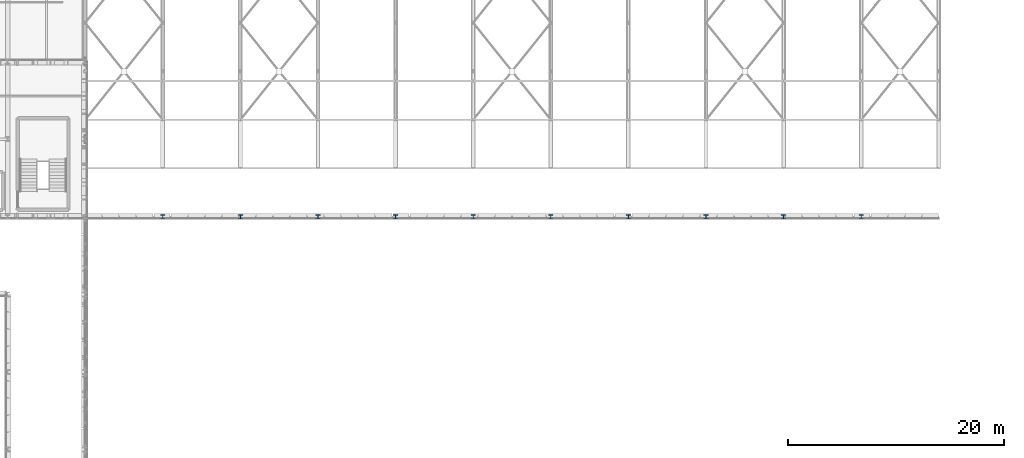
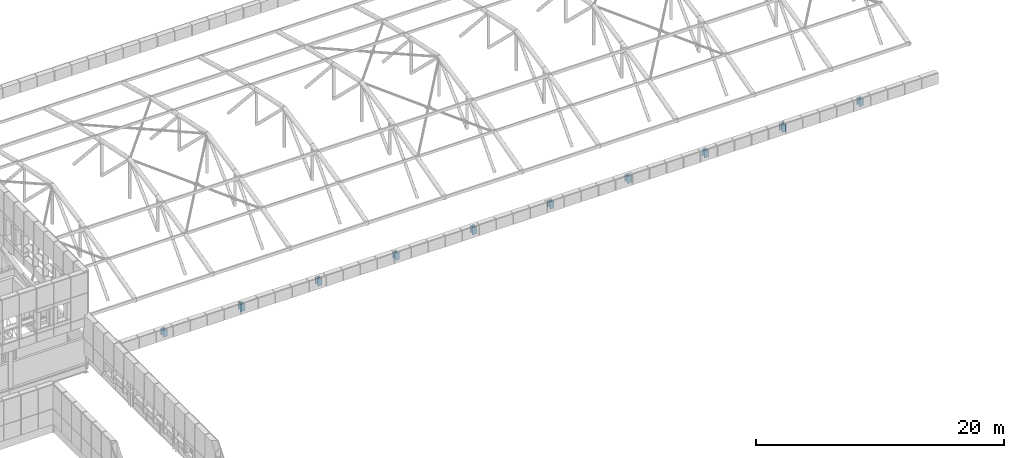
# One storey, part 8 of 96: 10 columns.
"""IFC4 building model written with IfcOpenShell, lengths in metres."""

from ifc_helpers import new_model, si_unit, direction, frame, origin, origin_2d, place, context, subcontext, project, spatial, i_section, extrude, material, material_profile, profile_set, type_object, element, save


model = new_model("IFC4")

# Units and contexts
model_context = context("Model", 3, precision=1e-05, world=origin(), true_north=direction((0.0, 1.0)))
body_context = subcontext(model_context, "Body", "Model", "MODEL_VIEW")
ifc_project = project(units=[si_unit("LENGTHUNIT", "METRE"), si_unit("AREAUNIT", "SQUARE_METRE"), si_unit("VOLUMEUNIT", "CUBIC_METRE"), si_unit("PLANEANGLEUNIT", "RADIAN"), si_unit("MASSUNIT", "GRAM", prefix="KILO")], contexts=[model_context])

# Site, building, storey
site_placement = place(None, origin())
site = spatial("IfcSite", under=ifc_project, at=site_placement, CompositionType="ELEMENT")
building_placement = place(site_placement, origin())
building = spatial("IfcBuilding", under=site, at=building_placement, Name="Yarey Park Central Fire Station", CompositionType="ELEMENT")
storey_placement = place(building_placement, frame((0.0, 0.0, 14.39990234375)))
storey = spatial("IfcBuildingStorey", under=building, at=storey_placement, Name="L04", CompositionType="ELEMENT", Elevation=14.39990234375)

# Columns
ifc_material = material(Name="Steel ASTM A992 Gr. 50", Category="steel")
ifc_material_profile = material_profile(ifc_material, i_section(OverallWidth=0.404052734375, OverallDepth=0.406982421875, WebThickness=0.027099609375, FlangeThickness=0.043701171875, at=origin_2d()), Name="W360x347")
ifc_profile_set = profile_set([ifc_material_profile], Name="Steel ASTM A992 Gr. 50")
column_type = type_object("IfcColumnType", Name="STR_COL_W360_EXT", PredefinedType="COLUMN", material=ifc_profile_set)
for number, where, z_axis, x_axis, name in (
    (1, (64.800048828125, 57.60009765625, 0.0), (0.0, 0.0, 1.0), (1.0, 0.0, 0.0), "V2_SCR_POST_S_L04_64"),
    (2, (72.0, 57.60009765625, 0.0), (0.0, 0.0, 1.0), (1.0, 0.0, 0.0), "V2_SCR_POST_S_L04_72"),
    (3, (79.199951171875, 57.60009765625, 0.0), (0.0, 0.0, 1.0), (1.0, 0.0, 0.0), "V2_SCR_POST_S_L04_79"),
    (4, (86.39990234375, 57.60009765625, 0.0), (0.0, 0.0, 1.0), (1.0, 0.0, 0.0), "V2_SCR_POST_S_L04_86"),
    (5, (93.60009765625, 57.60009765625, 0.0), (0.0, 0.0, 1.0), (1.0, 0.0, 0.0), "V2_SCR_POST_S_L04_93"),
    (6, (100.800048828125, 57.60009765625, 0.0), (0.0, 0.0, 1.0), (1.0, 0.0, 0.0), "V2_SCR_POST_S_L04_100"),
    (7, (108.0, 57.60009765625, 0.0), (0.0, 0.0, 1.0), (1.0, 0.0, 0.0), "V2_SCR_POST_S_L04_108"),
    (8, (115.199951171875, 57.60009765625, 0.0), (0.0, 0.0, 1.0), (1.0, 0.0, 0.0), "V2_SCR_POST_S_L04_115"),
    (9, (122.39990234375, 57.60009765625, 0.0), (0.0, 0.0, 1.0), (1.0, 0.0, 0.0), "V2_SCR_POST_S_L04_122"),
    (10, (129.60009765625, 57.60009765625, 0.0), (0.0, 0.0, 1.0), (1.0, 0.0, 0.0), "V2_SCR_POST_S_L04_129"),
):
    element("IfcColumn", number, at=place(storey_placement, frame(where, z_axis=z_axis, x_axis=x_axis)), inside=storey, type_object=column_type, Name=name, PredefinedType="COLUMN", context=body_context, shape_type="SweptSolid", body=[
        extrude(i_section(OverallWidth=0.404052734375, OverallDepth=0.406982421875, WebThickness=0.027099609375, FlangeThickness=0.043701171875, at=origin_2d()), origin(), (0.0, 0.0, 1.0), 0.7001953125),
    ])

save(model, "model.ifc")
